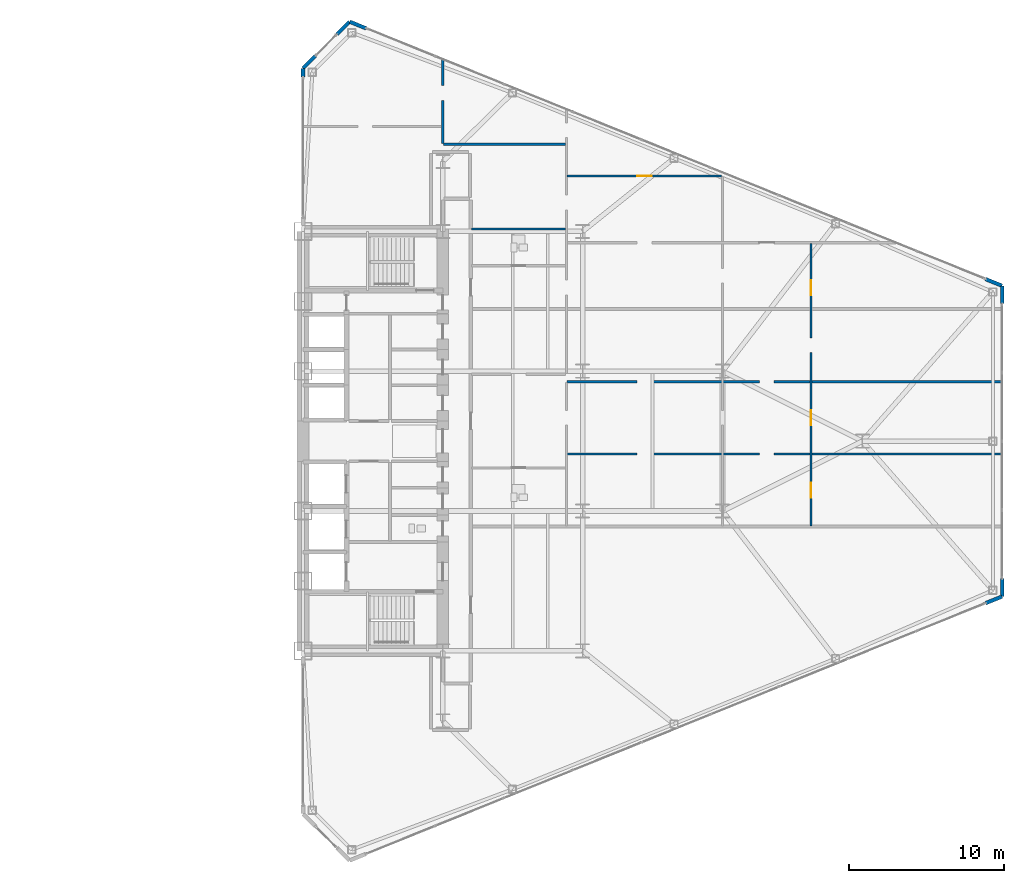
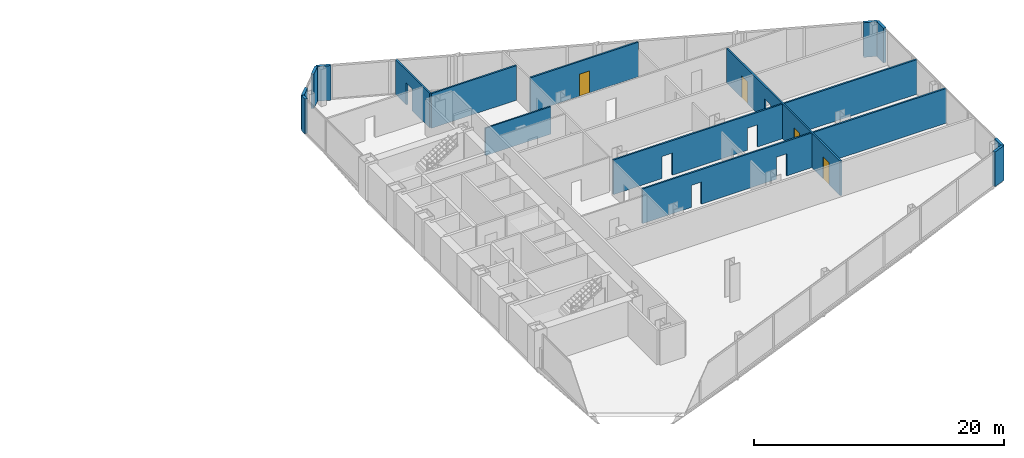
# One storey, part 22 of 25: 15 walls, 4 doors, 10 openings.
"""IFC4 building model written with IfcOpenShell, lengths in metres."""

from ifc_helpers import new_model, si_unit, direction, frame, frame_2d, origin, place, context, subcontext, project, spatial, rectangle, extrude, source, transform, mapped, material, layer, layer_set, type_object, type_shapes, element, fill, save


model = new_model("IFC4")

# Units and contexts
model_context = context("Model", 3, precision=1e-05, world=origin(), true_north=direction((0.0, 1.0)))
body_context = subcontext(model_context, "Body", "Model", "MODEL_VIEW")
ifc_project = project(units=[si_unit("LENGTHUNIT", "METRE"), si_unit("AREAUNIT", "SQUARE_METRE"), si_unit("VOLUMEUNIT", "CUBIC_METRE"), si_unit("PLANEANGLEUNIT", "RADIAN"), si_unit("MASSUNIT", "GRAM", prefix="KILO")], contexts=[model_context])

# Site, building, storey
site_placement = place(None, origin())
site = spatial("IfcSite", under=ifc_project, at=site_placement, CompositionType="ELEMENT")
building_placement = place(site_placement, origin())
building = spatial("IfcBuilding", under=site, at=building_placement, Name="Seokmaru Belvedere", CompositionType="ELEMENT")
storey_placement = place(building_placement, frame((0.0, 0.0, 58.5)))
storey = spatial("IfcBuildingStorey", under=building, at=storey_placement, Name="L15", CompositionType="ELEMENT", Elevation=58.5)

# Wall, openings
ifc_material_1 = material(Name="Fire-Rated Gypsum Shaftwall")
ifc_layer_1 = layer(ifc_material_1, 0.14990234375)
ifc_layer_set_1 = layer_set([ifc_layer_1], Name="Fire-Rated Gypsum Shaftwall")
wall_type_1 = type_object("IfcWallType", Name="Apartment Fire-Acoustic Room Partition 150", PredefinedType="PARTITIONING", material=ifc_layer_set_1)
wall_1_placement = place(storey_placement, frame((44.5, -0.830078125, 0.0), z_axis=(0.0, 0.0, 1.0), x_axis=(1.0, 0.0, 0.0)))
wall_1 = element("IfcWall", 1, at=wall_1_placement, inside=storey, type_object=wall_type_1, Name="L15 Interior Partition 016", PredefinedType="PARTITIONING", context=body_context, shape_type="SweptSolid", body=[
    extrude(rectangle(XDim=28.034912109375, YDim=0.14990234375, at=frame_2d((14.017578125, 0.0))), origin(), (0.0, 0.0, 1.0), 3.3798828125),
])
opening_1_placement = place(wall_1_placement, frame((4.5, 0.0, 0.0)))
element("IfcOpeningElement", 2, at=opening_1_placement, cuts=wall_1, Name="L15 Cased Opening 041", PredefinedType="OPENING", context=body_context, shape_type="SweptSolid", body=[
    extrude(rectangle(XDim=0.949951171875, YDim=2.14990234375, at=frame_2d((0.47509765625, 1.074951171875))), frame((0.0, 0.0849609375, 0.0), z_axis=(0.0, -1.0, 0.0), x_axis=(1.0, 0.0, 0.0)), (0.0, 0.0, 1.0), 0.169921875),
])
opening_2_placement = place(wall_1_placement, frame((12.375, 0.0, 0.0)))
element("IfcOpeningElement", 3, at=opening_2_placement, cuts=wall_1, Name="L15 Cased Opening 043", PredefinedType="OPENING", context=body_context, shape_type="SweptSolid", body=[
    extrude(rectangle(XDim=0.949951171875, YDim=2.14990234375, at=frame_2d((0.47509765625, 1.074951171875))), frame((0.0, 0.0849609375, 0.0), z_axis=(0.0, -1.0, 0.0), x_axis=(1.0, 0.0, 0.0)), (0.0, 0.0, 1.0), 0.169921875),
])

wall_2_placement = place(storey_placement, frame((44.5, 3.830078125, 0.0), z_axis=(0.0, 0.0, 1.0), x_axis=(1.0, 0.0, 0.0)))
wall_2 = element("IfcWall", 4, at=wall_2_placement, inside=storey, type_object=wall_type_1, Name="L15 Interior Partition 018", PredefinedType="PARTITIONING", context=body_context, shape_type="SweptSolid", body=[
    extrude(rectangle(XDim=28.034912109375, YDim=0.14990234375, at=frame_2d((14.017578125, 0.0))), origin(), (0.0, 0.0, 1.0), 3.3798828125),
])
opening_3_placement = place(wall_2_placement, frame((4.5, 0.0, 0.0)))
element("IfcOpeningElement", 5, at=opening_3_placement, cuts=wall_2, Name="L15 Cased Opening 042", PredefinedType="OPENING", context=body_context, shape_type="SweptSolid", body=[
    extrude(rectangle(XDim=0.949951171875, YDim=2.14990234375, at=frame_2d((0.47509765625, 1.074951171875))), frame((0.0, 0.0849609375, 0.0), z_axis=(0.0, -1.0, 0.0), x_axis=(1.0, 0.0, 0.0)), (0.0, 0.0, 1.0), 0.169921875),
])
opening_4_placement = place(wall_2_placement, frame((12.375, 0.0, 0.0)))
element("IfcOpeningElement", 6, at=opening_4_placement, cuts=wall_2, Name="L15 Cased Opening 046", PredefinedType="OPENING", context=body_context, shape_type="SweptSolid", body=[
    extrude(rectangle(XDim=0.949951171875, YDim=2.14990234375, at=frame_2d((0.47509765625, 1.074951171875))), frame((0.0, 0.0849609375, 0.0), z_axis=(0.0, -1.0, 0.0), x_axis=(1.0, 0.0, 0.0)), (0.0, 0.0, 1.0), 0.169921875),
])

# Wall, opening, door
wall_3_placement = place(storey_placement, frame((44.5, 17.070068359375, 0.0), z_axis=(0.0, 0.0, 1.0), x_axis=(1.0, 0.0, 0.0)))
wall_3 = element("IfcWall", 7, at=wall_3_placement, inside=storey, type_object=wall_type_1, Name="L15 Interior Partition 031", PredefinedType="PARTITIONING", context=body_context, shape_type="SweptSolid", body=[
    extrude(rectangle(XDim=9.949951171875, YDim=0.14990234375, at=frame_2d((4.97509765625, 0.0))), origin(), (0.0, 0.0, 1.0), 3.3798828125),
])
opening_5_placement = place(wall_3_placement, frame((4.5, 0.0, 0.0)))
opening_5 = element("IfcOpeningElement", 8, at=opening_5_placement, cuts=wall_3, Name="Opening D05", PredefinedType="OPENING", context=body_context, shape_type="SweptSolid", body=[
    extrude(rectangle(XDim=0.949951171875, YDim=2.14990234375, at=frame_2d((0.47509765625, 1.074951171875))), frame((0.0, 0.0849609375, 0.0), z_axis=(0.0, -1.0, 0.0), x_axis=(1.0, 0.0, 0.0)), (0.0, 0.0, 1.0), 0.169921875),
])
ifc_material_2 = material(Name="Engineered White Oak Timber", Category="wood")
door_type = type_object("IfcDoorType", Name="Apartment Interior Fire-Rated Oak Door 950x2150", OperationType="NOTDEFINED", PredefinedType="DOOR", material=ifc_material_2)
shared_shape = source(origin(), body_context, "Body", "SweptSolid", [
    extrude(rectangle(XDim=0.949951171875, YDim=2.14990234375, at=frame_2d((0.47509765625, 1.074951171875))), frame((0.0, 0.02490234375, 0.0), z_axis=(0.0, -1.0, 0.0), x_axis=(1.0, 0.0, 0.0)), (0.0, 0.0, 1.0), 0.050048828125),
])
type_shapes(door_type, [shared_shape])
door_1_placement = place(opening_5_placement, origin())
door_1 = element("IfcDoor", 9, at=door_1_placement, inside=storey, type_object=door_type, Name="L15 Interior Door 056", OperationType="SINGLE_SWING_LEFT", OverallHeight=2.14990234375, OverallWidth=0.949951171875, PredefinedType="DOOR", context=body_context, shape_type="MappedRepresentation", body=[
    mapped(shared_shape, transform((0.0, 0.0, 0.0), scale=1.0)),
])
fill(opening_5, door_1)

# Wall
wall_4_placement = place(storey_placement, frame((36.550048828125, 19.110107421875, 0.0), z_axis=(0.0, 0.0, 1.0), x_axis=(1.0, 0.0, 0.0)))
element("IfcWall", 10, at=wall_4_placement, inside=storey, type_object=wall_type_1, Name="L15 Interior Partition 034", PredefinedType="PARTITIONING", context=body_context, shape_type="SweptSolid", body=[
    extrude(rectangle(XDim=7.849853515625, YDim=0.14990234375, at=frame_2d((3.9248046875, 0.0))), origin(), (0.0, 0.0, 1.0), 3.3798828125),
])

# Wall, opening
wall_5_placement = place(storey_placement, frame((36.5, 19.157958984375, 0.0), z_axis=(0.0, 0.0, 1.0), x_axis=(0.0, 1.0, 0.0)))
wall_5 = element("IfcWall", 11, at=wall_5_placement, inside=storey, type_object=wall_type_1, Name="L15 Interior Partition 057", PredefinedType="PARTITIONING", context=body_context, shape_type="SweptSolid", body=[
    extrude(rectangle(XDim=5.447998046875, YDim=0.14990234375, at=frame_2d((2.72412109375, 0.0))), origin(), (0.0, 0.0, 1.0), 3.3798828125),
])
opening_6_placement = place(wall_5_placement, frame((2.777587890625, 0.0, 0.0)))
element("IfcOpeningElement", 12, at=opening_6_placement, cuts=wall_5, Name="L15 Cased Opening 058", PredefinedType="OPENING", context=body_context, shape_type="SweptSolid", body=[
    extrude(rectangle(XDim=0.949951171875, YDim=2.14990234375, at=frame_2d((0.47509765625, 1.074951171875))), frame((0.0, 0.0849609375, 0.0), z_axis=(0.0, -1.0, 0.0), x_axis=(1.0, 0.0, 0.0)), (0.0, 0.0, 1.0), 0.169921875),
])

# Wall, openings, doors
wall_6_placement = place(storey_placement, frame((60.199951171875, -5.449951171875, 0.0), z_axis=(0.0, 0.0, 1.0), x_axis=(0.0, 1.0, 0.0)))
wall_6 = element("IfcWall", 13, at=wall_6_placement, inside=storey, type_object=wall_type_1, Name="L15 Interior Partition 064", PredefinedType="PARTITIONING", context=body_context, shape_type="SweptSolid", body=[
    extrude(rectangle(XDim=18.183837890625, YDim=0.14990234375, at=frame_2d((9.091796875, 0.0))), origin(), (0.0, 0.0, 1.0), 3.3798828125),
])
opening_7_placement = place(wall_6_placement, frame((1.808349609375, 0.0, 0.0)))
opening_7 = element("IfcOpeningElement", 14, at=opening_7_placement, cuts=wall_6, Name="Opening D05", PredefinedType="OPENING", context=body_context, shape_type="SweptSolid", body=[
    extrude(rectangle(XDim=0.949951171875, YDim=2.14990234375, at=frame_2d((0.47509765625, 1.074951171875))), frame((0.0, 0.0849609375, 0.0), z_axis=(0.0, -1.0, 0.0), x_axis=(1.0, 0.0, 0.0)), (0.0, 0.0, 1.0), 0.169921875),
])
opening_8_placement = place(wall_6_placement, frame((6.47509765625, 0.0, 0.0)))
opening_8 = element("IfcOpeningElement", 15, at=opening_8_placement, cuts=wall_6, Name="Opening D05", PredefinedType="OPENING", context=body_context, shape_type="SweptSolid", body=[
    extrude(rectangle(XDim=0.949951171875, YDim=2.14990234375, at=frame_2d((0.47509765625, 1.074951171875))), frame((0.0, 0.0849609375, 0.0), z_axis=(0.0, -1.0, 0.0), x_axis=(1.0, 0.0, 0.0)), (0.0, 0.0, 1.0), 0.169921875),
])
opening_9_placement = place(wall_6_placement, frame((11.1416015625, 0.0, 0.0)))
element("IfcOpeningElement", 16, at=opening_9_placement, cuts=wall_6, Name="L15 Cased Opening 047", PredefinedType="OPENING", context=body_context, shape_type="SweptSolid", body=[
    extrude(rectangle(XDim=0.949951171875, YDim=2.14990234375, at=frame_2d((0.47509765625, 1.074951171875))), frame((0.0, 0.0849609375, 0.0), z_axis=(0.0, -1.0, 0.0), x_axis=(1.0, 0.0, 0.0)), (0.0, 0.0, 1.0), 0.169921875),
])
opening_10_placement = place(wall_6_placement, frame((14.854736328125, 0.0, 0.0)))
opening_10 = element("IfcOpeningElement", 17, at=opening_10_placement, cuts=wall_6, Name="Opening D05", PredefinedType="OPENING", context=body_context, shape_type="SweptSolid", body=[
    extrude(rectangle(XDim=0.949951171875, YDim=2.14990234375, at=frame_2d((0.47509765625, 1.074951171875))), frame((0.0, 0.0849609375, 0.0), z_axis=(0.0, -1.0, 0.0), x_axis=(1.0, 0.0, 0.0)), (0.0, 0.0, 1.0), 0.169921875),
])
door_2_placement = place(opening_7_placement, origin())
door_2 = element("IfcDoor", 18, at=door_2_placement, inside=storey, type_object=door_type, Name="L15 Interior Door 044", OperationType="SINGLE_SWING_LEFT", OverallHeight=2.14990234375, OverallWidth=0.949951171875, PredefinedType="DOOR", context=body_context, shape_type="MappedRepresentation", body=[
    mapped(shared_shape, transform((0.0, 0.0, 0.0), scale=1.0)),
])
fill(opening_7, door_2)
door_3_placement = place(opening_8_placement, origin())
door_3 = element("IfcDoor", 19, at=door_3_placement, inside=storey, type_object=door_type, Name="L15 Interior Door 045", OperationType="SINGLE_SWING_LEFT", OverallHeight=2.14990234375, OverallWidth=0.949951171875, PredefinedType="DOOR", context=body_context, shape_type="MappedRepresentation", body=[
    mapped(shared_shape, transform((0.0, 0.0, 0.0), scale=1.0)),
])
fill(opening_8, door_3)
door_4_placement = place(opening_10_placement, origin())
door_4 = element("IfcDoor", 20, at=door_4_placement, inside=storey, type_object=door_type, Name="L15 Interior Door 054", OperationType="SINGLE_SWING_LEFT", OverallHeight=2.14990234375, OverallWidth=0.949951171875, PredefinedType="DOOR", context=body_context, shape_type="MappedRepresentation", body=[
    mapped(shared_shape, transform((0.0, 0.0, 0.0), scale=1.0)),
])
fill(opening_10, door_4)

# Walls
ifc_layer_2 = layer(ifc_material_1, 0.1298828125)
ifc_layer_set_2 = layer_set([ifc_layer_2], Name="Fire-Rated Gypsum Shaftwall")
wall_type_2 = type_object("IfcWallType", Name="Moisture-Resistant Fire-Rated Bathroom Partition 130", PredefinedType="PARTITIONING", material=ifc_layer_set_2)
wall_7_placement = place(storey_placement, frame((38.35009765625, 13.639892578125, 0.0), z_axis=(0.0, 0.0, 1.0), x_axis=(1.0, 0.0, 0.0)))
element("IfcWall", 21, at=wall_7_placement, inside=storey, type_object=wall_type_2, Name="L15 Interior Partition 028", PredefinedType="PARTITIONING", context=body_context, shape_type="SweptSolid", body=[
    extrude(rectangle(XDim=6.0498046875, YDim=0.1298828125, at=frame_2d((3.02490234375, 0.0))), origin(), (0.0, 0.0, 1.0), 2.679931640625),
])
ifc_material_3 = material(Name="Anodised Bronze Aluminium", Category="aluminium")
ifc_layer_3 = layer(ifc_material_3, 0.239990234375)
ifc_layer_set_3 = layer_set([ifc_layer_3], Name="Anodised Bronze Aluminium")
wall_type_3 = type_object("IfcWallType", Name="Tower Corner Spandrel Closure Wall 240", PredefinedType="SOLIDWALL", material=ifc_layer_set_3)
for number, where, z_axis, x_axis, name in (
    (22, (71.43408203125, -10.431396484375, 0.0), (0.0, 0.0, 1.0), (0.927007103665, 0.375043770452, 0.0), "L15 E Corner Closure Pier 1B"),
    (23, (72.5, -9.989990234375, 0.0), (0.0, 0.0, 1.0), (0.0, 1.0, 0.0), "L15 E Corner Closure Pier 2A"),
    (24, (72.5, 8.85009765625, 0.0), (0.0, 0.0, 1.0), (0.0, 1.0, 0.0), "L15 E Corner Closure Pier 2B"),
    (25, (72.49072265625, 10.00390625, 0.0), (0.0, 0.0, 1.0), (-0.927007103665, 0.375043770452, 0.0), "L15 E Corner Closure Pier 3A"),
    (26, (31.56591796875, 26.568603515625, 0.0), (0.0, 0.0, 1.0), (-0.927007103665, 0.375043770452, 0.0), "L15 E Corner Closure Pier 3B"),
):
    element("IfcWall", number, at=place(storey_placement, frame(where, z_axis=z_axis, x_axis=x_axis)), inside=storey, type_object=wall_type_3, Name=name, PredefinedType="SOLIDWALL", context=body_context, shape_type="SweptSolid", body=[
        extrude(rectangle(XDim=1.139892578125, YDim=0.239990234375, at=frame_2d((0.56982421875, 0.0))), origin(), (0.0, 0.0, 1.0), 3.3798828125),
    ])
for number, where, z_axis, x_axis, name in (
    (27, (30.492919921875, 26.992919921875, 0.0), (0.0, 0.0, 1.0), (-0.707106781187, -0.707106781187, 0.0), "L15 E Corner Closure Pier 4A"),
    (28, (28.313232421875, 24.813232421875, 0.0), (0.0, 0.0, 1.0), (-0.707106781187, -0.707106781187, 0.0), "L15 E Corner Closure Pier 4B"),
):
    element("IfcWall", number, at=place(storey_placement, frame(where, z_axis=z_axis, x_axis=x_axis)), inside=storey, type_object=wall_type_3, Name=name, PredefinedType="SOLIDWALL", context=body_context, shape_type="SweptSolid", body=[
        extrude(rectangle(XDim=1.14013671875, YDim=0.239990234375, at=frame_2d((0.570068359375, 0.0))), origin(), (0.0, 0.0, 1.0), 3.3798828125),
    ])
wall_8_placement = place(storey_placement, frame((27.5, 23.429931640625, 0.0), z_axis=(0.0, 0.0, 1.0), x_axis=(0.0, 1.0, 0.0)))
element("IfcWall", 29, at=wall_8_placement, inside=storey, type_object=wall_type_3, Name="L15 E Spine Closure Pier 2B", PredefinedType="SOLIDWALL", context=body_context, shape_type="SweptSolid", body=[
    extrude(rectangle(XDim=0.550048828125, YDim=0.239990234375, at=frame_2d((0.27490234375, 0.0))), origin(), (0.0, 0.0, 1.0), 3.3798828125),
])

save(model, "model.ifc")
